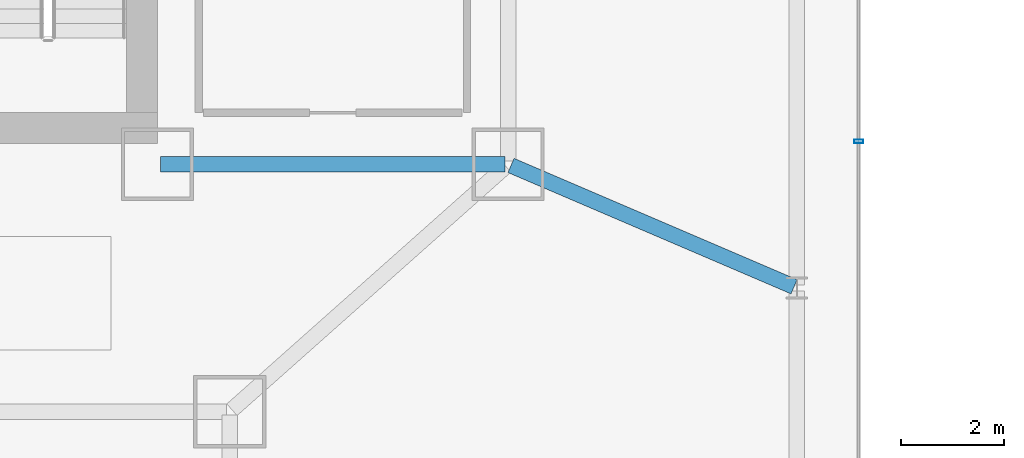
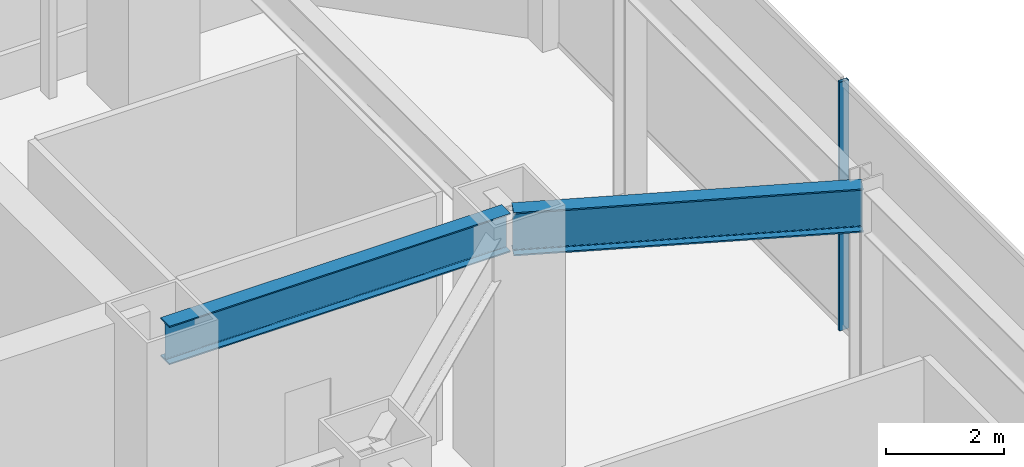
# One storey, part 29 of 53: 2 beams, 1 member, 1 element without a shape of its own.
"""IFC4 building model written with IfcOpenShell, lengths in metres."""

from ifc_helpers import new_model, si_unit, direction, frame, origin, origin_2d, place, context, subcontext, project, spatial, hollow_rectangle, i_section, extrude, material, material_profile, profile_set, type_object, element, aggregate, save


model = new_model("IFC4")

# Units and contexts
model_context = context("Model", 3, precision=1e-05, world=origin(), true_north=direction((0.0, 1.0)))
body_context = subcontext(model_context, "Body", "Model", "MODEL_VIEW")
ifc_project = project(units=[si_unit("LENGTHUNIT", "METRE"), si_unit("AREAUNIT", "SQUARE_METRE"), si_unit("VOLUMEUNIT", "CUBIC_METRE"), si_unit("PLANEANGLEUNIT", "RADIAN"), si_unit("MASSUNIT", "GRAM", prefix="KILO")], contexts=[model_context])

# Site, building, storey
site_placement = place(None, origin())
site = spatial("IfcSite", under=ifc_project, at=site_placement, CompositionType="ELEMENT")
building_placement = place(site_placement, origin())
building = spatial("IfcBuilding", under=site, at=building_placement, Name="Saevonmaru Cultural Tower", CompositionType="ELEMENT")
storey_placement = place(building_placement, frame((0.0, 0.0, 22.199951171875)))
storey = spatial("IfcBuildingStorey", under=building, at=storey_placement, Name="L04", CompositionType="ELEMENT", Elevation=22.199951171875)

# Beams
ifc_material_1 = material(Name="Steel SM420", Category="steel")
ifc_material_profile_1 = material_profile(ifc_material_1, i_section(OverallWidth=0.300048828125, OverallDepth=0.800048828125, WebThickness=0.013916015625, FlangeThickness=0.02587890625, FilletRadius=0.028076171875, at=origin_2d()), Name="H-800x300x14x26")
ifc_profile_set_1 = profile_set([ifc_material_profile_1], Name="Steel SM420")
beam_type_1 = type_object("IfcBeamType", Name="BM-G-H800", PredefinedType="BEAM", material=ifc_profile_set_1)
beam_1_placement = place(storey_placement, frame((46.4599609375, 42.39990234375, 4.75), z_axis=(1.0, 0.0, 0.0), x_axis=(0.0, 1.0, 0.0)))
element("IfcBeam", 1, at=beam_1_placement, inside=storey, type_object=beam_type_1, Name="L04 Core South Girder 5", PredefinedType="BEAM", context=body_context, shape_type="SweptSolid", body=[
    extrude(i_section(OverallWidth=0.300048828125, OverallDepth=0.800048828125, WebThickness=0.013916015625, FlangeThickness=0.02587890625, FilletRadius=0.028076171875, at=origin_2d()), origin(), (0.0, 0.0, 1.0), 6.679931640625),
])
ifc_material_profile_2 = material_profile(ifc_material_1, i_section(OverallWidth=0.300048828125, OverallDepth=0.89990234375, WebThickness=0.01611328125, FlangeThickness=0.028076171875, FilletRadius=0.028076171875, at=origin_2d()), Name="H-900x300x16x28")
ifc_profile_set_2 = profile_set([ifc_material_profile_2], Name="Steel SM420")
beam_type_2 = type_object("IfcBeamType", Name="BM-G-H900", PredefinedType="BEAM", material=ifc_profile_set_2)
beam_2_placement = place(storey_placement, frame((53.255126953125, 42.37646484375, 4.699951171875), z_axis=(0.919142915717, -0.393924231912, 0.0), x_axis=(0.393924231912, 0.919142915717, 0.0)))
element("IfcBeam", 2, at=beam_2_placement, inside=storey, type_object=beam_type_2, Name="BM-POD-TE1-L04", PredefinedType="BEAM", context=body_context, shape_type="SweptSolid", body=[
    extrude(i_section(OverallWidth=0.300048828125, OverallDepth=0.89990234375, WebThickness=0.01611328125, FlangeThickness=0.028076171875, FilletRadius=0.028076171875, at=origin_2d()), origin(), (0.0, 0.0, 1.0), 5.97265625),
])

# Curtain wall, member
ifc_material_2 = material(Name="Satin Bronze Anodised Aluminium", Category="aluminium")
curtain_wall_type = type_object("IfcCurtainWallType", Name="CW-POD-GLZ", PredefinedType="NOTDEFINED", material=ifc_material_2)
curtain_wall_placement = place(storey_placement, origin())
curtain_wall = element("IfcCurtainWall", 3, at=curtain_wall_placement, inside=storey, type_object=curtain_wall_type, Name="L04 Saevon Plaza Curtain Wall", PredefinedType="NOTDEFINED")
ifc_material_profile_3 = material_profile(ifc_material_2, hollow_rectangle(XDim=0.06494140625, YDim=0.179931640625, WallThickness=0.00390625, at=origin_2d()), Name="ALU-MULL-180x65x4")
ifc_profile_set_3 = profile_set([ifc_material_profile_3], Name="Satin Bronze Anodised Aluminium")
member_type = type_object("IfcMemberType", Name="ML-CW-180x65", PredefinedType="MULLION", material=ifc_profile_set_3)
member_placement = place(storey_placement, frame((60.0, 42.843994140625, 0.0), z_axis=(0.0, 0.0, 1.0), x_axis=(0.0, 1.0, 0.0)))
member = element("IfcMember", 4, at=member_placement, type_object=member_type, Name="CW-POD-E-L04 mullion 5", PredefinedType="MULLION", context=body_context, shape_type="SweptSolid", body=[
    extrude(hollow_rectangle(XDim=0.06494140625, YDim=0.179931640625, WallThickness=0.00390625, at=origin_2d()), origin(), (0.0, 0.0, 1.0), 5.150146484375),
])
aggregate(curtain_wall, [member])

save(model, "model.ifc")
